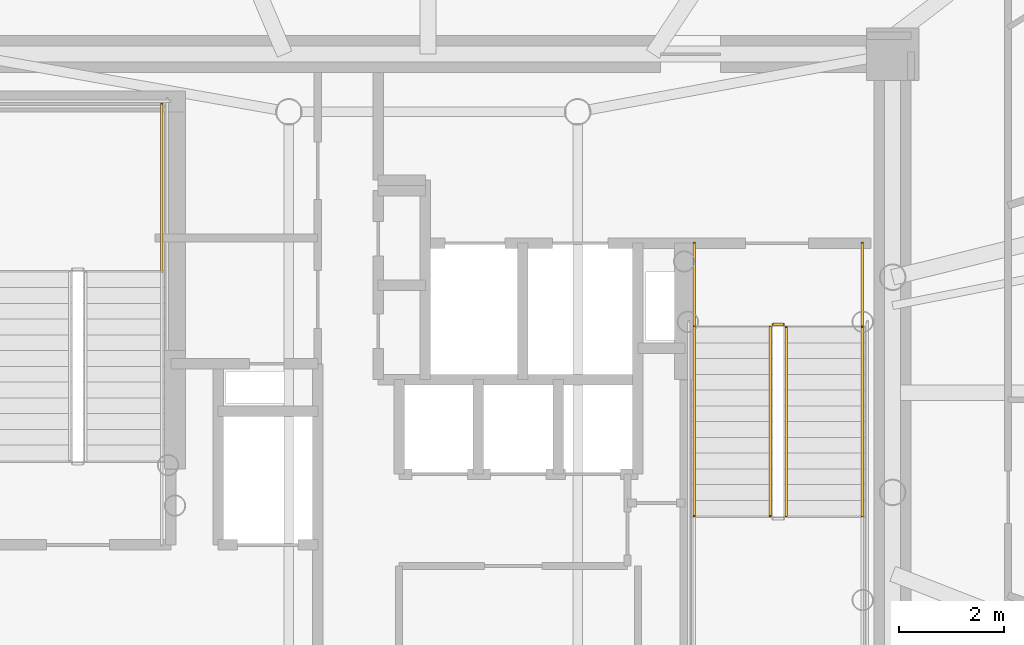
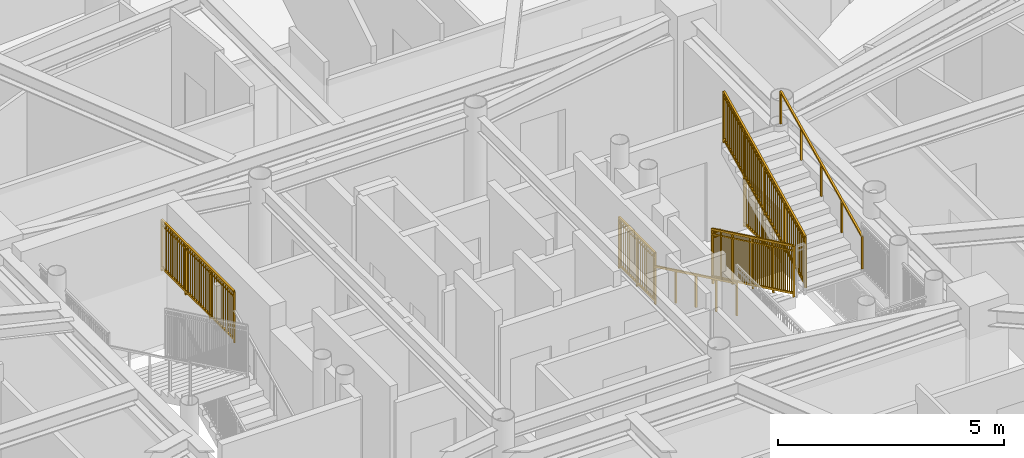
# One storey, part 16 of 17: 8 railings.
"""IFC4 building model written with IfcOpenShell, lengths in metres."""

import ifcopenshell
import ifcopenshell.guid

model = None  # the IFC model being written
_history = None  # IfcOwnerHistory: only IFC2X3 demands one
_inside = {}  # id of a spatial element -> (the spatial element, [elements in it])
_under = {}  # id of a project, library or spatial element -> (it, [spatial elements below it])
_declared = {}  # id of a project -> (the project, [libraries it declares])
_typed = {}  # id of a type object -> (the type object, [elements of that type])
_made_of = {}  # id of a material, layer set ... -> (it, [elements and type objects made of it])


def new_model(schema):
    """Start an empty IFC model of exactly this schema.

    Asked for "IFC4X3", IfcOpenShell would pick the latest addendum, in which some entities
    have other attributes; the version numbers below select the first issue.
    IFC2X3 requires an IfcOwnerHistory on every rooted entity: one is made here for all.
    """
    global model, _history
    if schema == "IFC4X3":
        model = ifcopenshell.file(schema_version=(4, 3, 0, 0))
    else:
        model = ifcopenshell.file(schema=schema)
    _inside.clear()
    _under.clear()
    _declared.clear()
    _typed.clear()
    _made_of.clear()
    _history = None
    if model.schema == "IFC2X3":
        org = make("IfcOrganization", Name="unknown")
        user = make(
            "IfcPersonAndOrganization",
            ThePerson=make("IfcPerson", FamilyName="unknown"),
            TheOrganization=org,
        )
        app = make(
            "IfcApplication",
            ApplicationDeveloper=org,
            Version="unknown",
            ApplicationFullName="unknown",
            ApplicationIdentifier="unknown",
        )
        _history = make(
            "IfcOwnerHistory",
            OwningUser=user,
            OwningApplication=app,
            ChangeAction="ADDED",
            CreationDate=0,
        )
    return model


def make(cls, **values):
    """One entity of the class cls with the attributes given. An attribute that is None is left unset."""
    return model.create_entity(
        cls, **{name: value for name, value in values.items() if value is not None}
    )


def rooted(cls, **values):
    """An entity with a GlobalId (a new one), such as an element, a storey or a relation."""
    return make(cls, GlobalId=ifcopenshell.guid.new(), OwnerHistory=_history, **values)


def si_unit(unit_type, name, prefix=None):
    """IfcSIUnit, for example si_unit("LENGTHUNIT", "METRE", prefix="MILLI")."""
    return make("IfcSIUnit", UnitType=unit_type, Prefix=prefix, Name=name)


def assignment(units):
    """IfcUnitAssignment: the units of a project."""
    return None if units is None else make("IfcUnitAssignment", Units=units)


def point(xyz):
    """IfcCartesianPoint."""
    return None if xyz is None else make("IfcCartesianPoint", Coordinates=xyz)


def direction(xyz):
    """IfcDirection."""
    return None if xyz is None else make("IfcDirection", DirectionRatios=xyz)


def frame(location, z_axis=None, x_axis=None):
    """IfcAxis2Placement3D, a coordinate frame: its origin and axes. An axis left out is left unset."""
    return make(
        "IfcAxis2Placement3D",
        Location=point(location),
        Axis=direction(z_axis),
        RefDirection=direction(x_axis),
    )


def frame_2d(location, x_axis=None):
    """IfcAxis2Placement2D, a coordinate frame in the plane: its origin and x axis."""
    return make(
        "IfcAxis2Placement2D", Location=point(location), RefDirection=direction(x_axis)
    )


def origin():
    """The frame at (0, 0, 0) with its axes left unset."""
    return frame((0.0, 0.0, 0.0))


def origin_2d():
    """The frame at (0, 0) in the plane with its x axis left unset."""
    return frame_2d((0.0, 0.0))


def place(relative_to, where):
    """IfcLocalPlacement: puts the frame where relative to a parent placement (None: the world)."""
    return make(
        "IfcLocalPlacement", PlacementRelTo=relative_to, RelativePlacement=where
    )


def context(
    kind, dimensions, precision=None, world=None, true_north=None, identifier=None
):
    """IfcGeometricRepresentationContext, for example the 3D "Model" context."""
    return make(
        "IfcGeometricRepresentationContext",
        ContextIdentifier=identifier,
        ContextType=kind,
        CoordinateSpaceDimension=dimensions,
        Precision=precision,
        WorldCoordinateSystem=world,
        TrueNorth=true_north,
    )


def subcontext(parent, identifier, kind, view, scale=None):
    """IfcGeometricRepresentationSubContext, for example "Body" below "Model"."""
    return make(
        "IfcGeometricRepresentationSubContext",
        ContextIdentifier=identifier,
        ContextType=kind,
        ParentContext=parent,
        TargetScale=scale,
        TargetView=view,
    )


def project(units=None, contexts=None):
    """IfcProject with its units and contexts."""
    return rooted(
        "IfcProject",
        Name="project",
        RepresentationContexts=contexts,
        UnitsInContext=assignment(units),
    )


def spatial(cls, under=None, at=None, **own):
    """A site, building, storey or space (cls), placed at a placement, below another one or the project."""
    s = rooted(cls, ObjectPlacement=at, **own)
    if under is not None:
        _under.setdefault(under.id(), (under, []))[1].append(s)
    return s


def profile(cls, at=None, kind="AREA", **sizes):
    """A parametric profile (cls). Its sizes go by their IFC names, for example OverallWidth=200.0."""
    return make(cls, ProfileType=kind, Position=at, **sizes)


def rectangle(**sizes):
    """IfcRectangleProfileDef."""
    return profile("IfcRectangleProfileDef", **sizes)


def extrude(swept, where, along, depth):
    """IfcExtrudedAreaSolid: the profile swept, set in the frame where, extruded along a direction by depth."""
    return make(
        "IfcExtrudedAreaSolid",
        SweptArea=swept,
        Position=where,
        ExtrudedDirection=direction(along),
        Depth=depth,
    )


def shape(context_of_items, identifier, shape_type, items):
    """IfcShapeRepresentation: the items that make up one representation, for example the "Body"."""
    return make(
        "IfcShapeRepresentation",
        ContextOfItems=context_of_items,
        RepresentationIdentifier=identifier,
        RepresentationType=shape_type,
        Items=items,
    )


def source(mapping_origin, context_of_items, identifier, shape_type, items):
    """IfcRepresentationMap: a shape defined once, which mapped items show again and again."""
    return make(
        "IfcRepresentationMap",
        MappingOrigin=mapping_origin,
        MappedRepresentation=shape(context_of_items, identifier, shape_type, items),
    )


def transform(
    local_origin,
    x_axis=None,
    y_axis=None,
    z_axis=None,
    scale=None,
    scale2=None,
    scale3=None,
    uniform=True,
):
    """IfcCartesianTransformationOperator3D, or its non-uniform kind. x_axis, y_axis, z_axis: its Axis1, 2, 3."""
    if uniform:
        return make(
            "IfcCartesianTransformationOperator3D",
            Axis1=direction(x_axis),
            Axis2=direction(y_axis),
            LocalOrigin=point(local_origin),
            Scale=scale,
            Axis3=direction(z_axis),
        )
    return make(
        "IfcCartesianTransformationOperator3DnonUniform",
        Axis1=direction(x_axis),
        Axis2=direction(y_axis),
        LocalOrigin=point(local_origin),
        Scale=scale,
        Axis3=direction(z_axis),
        Scale2=scale2,
        Scale3=scale3,
    )


def mapped(mapping_source, mapping_target):
    """IfcMappedItem: shows the shape of a source again, moved by a transform."""
    return make(
        "IfcMappedItem", MappingSource=mapping_source, MappingTarget=mapping_target
    )


def material(Name=None, Category=None):
    """IfcMaterial."""
    return make("IfcMaterial", Name=Name, Category=Category)


def made_of(thing, what):
    """Note that an element or type object is made of a material, layer set ...; save() writes the relation."""
    if what is not None:
        _made_of.setdefault(what.id(), (what, []))[1].append(thing)
    return thing


def type_object(cls, material=None, **own):
    """A type object (cls), such as IfcWallType, which elements share."""
    return made_of(rooted(cls, **own), material)


def element(
    cls,
    number,
    at=None,
    inside=None,
    cuts=None,
    type_object=None,
    material=None,
    context=None,
    identifier="Body",
    shape_type=None,
    held_by="IfcProductDefinitionShape",
    body=None,
    shapes=None,
    **own,
):
    """One element of the class cls, such as IfcWall. Its Tag is "e" and its number.

    at: its placement. inside: the storey or other place that contains it. cuts: it is an
    opening in that element (IfcRelVoidsElement). A single representation is given by context,
    identifier, shape_type and body (its items); several are given by shapes. held_by: the class
    of the entity that holds the representations. save() writes the other relations.
    """
    e = rooted(cls, Tag="e%d" % number, ObjectPlacement=at, **own)
    if body is not None:
        shapes = [shape(context, identifier, shape_type, body)]
    if shapes is not None:
        e.Representation = make(held_by, Representations=shapes)
    if inside is not None:
        _inside.setdefault(inside.id(), (inside, []))[1].append(e)
    if cuts is not None:
        rooted(
            "IfcRelVoidsElement", RelatingBuildingElement=cuts, RelatedOpeningElement=e
        )
    if type_object is not None:
        _typed.setdefault(type_object.id(), (type_object, []))[1].append(e)
    return made_of(e, material)


def aggregate(whole, parts):
    """IfcRelAggregates: a whole, such as a stair, and the parts it consists of."""
    return rooted("IfcRelAggregates", RelatingObject=whole, RelatedObjects=parts)


def save(model, path):
    """Write the relations noted so far, then the file.

    IfcRelAggregates (storeys below a building ...), IfcRelContainedInSpatialStructure (elements
    in a storey), IfcRelDefinesByType, IfcRelAssociatesMaterial and IfcRelDeclares: one each for
    every whole, place, type object, material and project.
    """
    for whole, parts in _under.values():
        aggregate(whole, parts)
    for where, things in _inside.values():
        rooted(
            "IfcRelContainedInSpatialStructure",
            RelatedElements=things,
            RelatingStructure=where,
        )
    for kind, things in _typed.values():
        rooted("IfcRelDefinesByType", RelatedObjects=things, RelatingType=kind)
    for what, things in _made_of.values():
        rooted("IfcRelAssociatesMaterial", RelatedObjects=things, RelatingMaterial=what)
    for by, libraries in _declared.values():
        rooted("IfcRelDeclares", RelatingContext=by, RelatedDefinitions=libraries)
    model.write(path)


model = new_model("IFC4")

# Units and contexts
model_context = context("Model", 3, precision=1e-05, world=origin(), true_north=direction((0.0, 1.0)))
body_context = subcontext(model_context, "Body", "Model", "MODEL_VIEW")
ifc_project = project(units=[si_unit("LENGTHUNIT", "METRE"), si_unit("AREAUNIT", "SQUARE_METRE"), si_unit("VOLUMEUNIT", "CUBIC_METRE"), si_unit("PLANEANGLEUNIT", "RADIAN"), si_unit("MASSUNIT", "GRAM", prefix="KILO")], contexts=[model_context])

# Site, building, storey
site_placement = place(None, origin())
site = spatial("IfcSite", under=ifc_project, at=site_placement, CompositionType="ELEMENT")
building_placement = place(site_placement, origin())
building = spatial("IfcBuilding", under=site, at=building_placement, Name="Linh Dai School and Residence Tower", CompositionType="ELEMENT")
storey_placement = place(building_placement, frame((0.0, 0.0, 299.25)))
storey = spatial("IfcBuildingStorey", under=building, at=storey_placement, Name="L74", CompositionType="ELEMENT", Elevation=299.25)

# Railings
ifc_material_1 = material(Name="Structural Steel S355JR", Category="steel")
railing_type_1 = type_object("IfcRailingType", Name="RL-ST-GUARD-1400", PredefinedType="GUARDRAIL", material=ifc_material_1)
shared_shape_1 = source(origin(), body_context, "Body", "SweptSolid", [
    extrude(rectangle(XDim=0.048095703125, YDim=0.048095703125, at=origin_2d()), frame((0.0, 0.0, 1.3759765625), z_axis=(0.0, 0.901262522062, 0.433273431364), x_axis=(-1.0, 0.0, 0.0)), (0.0, 0.0, 1.0), 3.994384765625),
    extrude(rectangle(XDim=0.048095703125, YDim=0.048095703125, at=origin_2d()), frame((0.0, 0.0, 0.10009765625), z_axis=(0.0, 0.901262522062, 0.433273431364), x_axis=(-1.0, 0.0, 0.0)), (0.0, 0.0, 1.0), 3.994384765625),
    extrude(rectangle(XDim=0.030029296875, YDim=0.030029296875, at=origin_2d()), frame((0.0, 0.0, 1.239990234375), z_axis=(0.0, 0.901262522062, 0.433273431364), x_axis=(-1.0, 0.0, 0.0)), (0.0, 0.0, 1.0), 3.994384765625),
    extrude(rectangle(XDim=0.02001953125, YDim=0.02001953125, at=origin_2d()), frame((0.0, 0.087890625, 0.142333984375)), (0.0, 0.0, 1.0), 1.251708984375),
    extrude(rectangle(XDim=0.02001953125, YDim=0.02001953125, at=origin_2d()), frame((0.0, 0.175537109375, 0.1845703125)), (0.0, 0.0, 1.0), 1.251708984375),
    extrude(rectangle(XDim=0.02001953125, YDim=0.02001953125, at=origin_2d()), frame((0.0, 0.263427734375, 0.226806640625)), (0.0, 0.0, 1.0), 1.251708984375),
    extrude(rectangle(XDim=0.02001953125, YDim=0.02001953125, at=origin_2d()), frame((0.0, 0.351318359375, 0.26904296875)), (0.0, 0.0, 1.0), 1.251708984375),
    extrude(rectangle(XDim=0.02001953125, YDim=0.02001953125, at=origin_2d()), frame((0.0, 0.43896484375, 0.311279296875)), (0.0, 0.0, 1.0), 1.251708984375),
    extrude(rectangle(XDim=0.02001953125, YDim=0.02001953125, at=origin_2d()), frame((0.0, 0.52685546875, 0.353271484375)), (0.0, 0.0, 1.0), 1.251708984375),
    extrude(rectangle(XDim=0.02001953125, YDim=0.02001953125, at=origin_2d()), frame((0.0, 0.61474609375, 0.3955078125)), (0.0, 0.0, 1.0), 1.251708984375),
    extrude(rectangle(XDim=0.02001953125, YDim=0.02001953125, at=origin_2d()), frame((0.0, 0.702392578125, 0.437744140625)), (0.0, 0.0, 1.0), 1.251708984375),
    extrude(rectangle(XDim=0.02001953125, YDim=0.02001953125, at=origin_2d()), frame((0.0, 0.790283203125, 0.47998046875)), (0.0, 0.0, 1.0), 1.251708984375),
    extrude(rectangle(XDim=0.02001953125, YDim=0.02001953125, at=origin_2d()), frame((0.0, 0.9658203125, 0.564453125)), (0.0, 0.0, 1.0), 1.251708984375),
    extrude(rectangle(XDim=0.02001953125, YDim=0.02001953125, at=origin_2d()), frame((0.0, 1.0537109375, 0.606689453125)), (0.0, 0.0, 1.0), 1.251708984375),
    extrude(rectangle(XDim=0.02001953125, YDim=0.02001953125, at=origin_2d()), frame((0.0, 1.1416015625, 0.64892578125)), (0.0, 0.0, 1.0), 1.251708984375),
    extrude(rectangle(XDim=0.02001953125, YDim=0.02001953125, at=origin_2d()), frame((0.0, 1.229248046875, 0.691162109375)), (0.0, 0.0, 1.0), 1.251708984375),
    extrude(rectangle(XDim=0.02001953125, YDim=0.02001953125, at=origin_2d()), frame((0.0, 1.317138671875, 0.7333984375)), (0.0, 0.0, 1.0), 1.251708984375),
    extrude(rectangle(XDim=0.02001953125, YDim=0.02001953125, at=origin_2d()), frame((0.0, 1.405029296875, 0.775390625)), (0.0, 0.0, 1.0), 1.251708984375),
    extrude(rectangle(XDim=0.02001953125, YDim=0.02001953125, at=origin_2d()), frame((0.0, 1.49267578125, 0.817626953125)), (0.0, 0.0, 1.0), 1.251708984375),
    extrude(rectangle(XDim=0.02001953125, YDim=0.02001953125, at=origin_2d()), frame((0.0, 1.58056640625, 0.85986328125)), (0.0, 0.0, 1.0), 1.251708984375),
    extrude(rectangle(XDim=0.02001953125, YDim=0.02001953125, at=origin_2d()), frame((0.0, 1.66845703125, 0.902099609375)), (0.0, 0.0, 1.0), 1.251708984375),
    extrude(rectangle(XDim=0.02001953125, YDim=0.02001953125, at=origin_2d()), frame((0.0, 1.756103515625, 0.9443359375)), (0.0, 0.0, 1.0), 1.251708984375),
    extrude(rectangle(XDim=0.02001953125, YDim=0.02001953125, at=origin_2d()), frame((0.0, 1.843994140625, 0.986572265625)), (0.0, 0.0, 1.0), 1.251708984375),
    extrude(rectangle(XDim=0.02001953125, YDim=0.02001953125, at=origin_2d()), frame((0.0, 1.931640625, 1.02880859375)), (0.0, 0.0, 1.0), 1.251708984375),
    extrude(rectangle(XDim=0.02001953125, YDim=0.02001953125, at=origin_2d()), frame((0.0, 2.01953125, 1.071044921875)), (0.0, 0.0, 1.0), 1.251708984375),
    extrude(rectangle(XDim=0.02001953125, YDim=0.02001953125, at=origin_2d()), frame((0.0, 2.107421875, 1.11328125)), (0.0, 0.0, 1.0), 1.251708984375),
    extrude(rectangle(XDim=0.02001953125, YDim=0.02001953125, at=origin_2d()), frame((0.0, 2.195068359375, 1.155517578125)), (0.0, 0.0, 1.0), 1.251708984375),
    extrude(rectangle(XDim=0.02001953125, YDim=0.02001953125, at=origin_2d()), frame((0.0, 2.282958984375, 1.197509765625)), (0.0, 0.0, 1.0), 1.251708984375),
    extrude(rectangle(XDim=0.02001953125, YDim=0.02001953125, at=origin_2d()), frame((0.0, 2.370849609375, 1.23974609375)), (0.0, 0.0, 1.0), 1.251708984375),
    extrude(rectangle(XDim=0.02001953125, YDim=0.02001953125, at=origin_2d()), frame((0.0, 2.45849609375, 1.281982421875)), (0.0, 0.0, 1.0), 1.251708984375),
    extrude(rectangle(XDim=0.02001953125, YDim=0.02001953125, at=origin_2d()), frame((0.0, 2.54638671875, 1.32421875)), (0.0, 0.0, 1.0), 1.251708984375),
    extrude(rectangle(XDim=0.02001953125, YDim=0.02001953125, at=origin_2d()), frame((0.0, 2.63427734375, 1.366455078125)), (0.0, 0.0, 1.0), 1.251708984375),
    extrude(rectangle(XDim=0.02001953125, YDim=0.02001953125, at=origin_2d()), frame((0.0, 2.809814453125, 1.450927734375)), (0.0, 0.0, 1.0), 1.251708984375),
    extrude(rectangle(XDim=0.02001953125, YDim=0.02001953125, at=origin_2d()), frame((0.0, 2.897705078125, 1.4931640625)), (0.0, 0.0, 1.0), 1.251708984375),
    extrude(rectangle(XDim=0.02001953125, YDim=0.02001953125, at=origin_2d()), frame((0.0, 2.9853515625, 1.535400390625)), (0.0, 0.0, 1.0), 1.251708984375),
    extrude(rectangle(XDim=0.02001953125, YDim=0.02001953125, at=origin_2d()), frame((0.0, 3.0732421875, 1.57763671875)), (0.0, 0.0, 1.0), 1.251708984375),
    extrude(rectangle(XDim=0.02001953125, YDim=0.02001953125, at=origin_2d()), frame((0.0, 3.1611328125, 1.61962890625)), (0.0, 0.0, 1.0), 1.251708984375),
    extrude(rectangle(XDim=0.02001953125, YDim=0.02001953125, at=origin_2d()), frame((0.0, 3.248779296875, 1.661865234375)), (0.0, 0.0, 1.0), 1.251708984375),
    extrude(rectangle(XDim=0.02001953125, YDim=0.02001953125, at=origin_2d()), frame((0.0, 3.336669921875, 1.7041015625)), (0.0, 0.0, 1.0), 1.251708984375),
    extrude(rectangle(XDim=0.02001953125, YDim=0.02001953125, at=origin_2d()), frame((0.0, 3.424560546875, 1.746337890625)), (0.0, 0.0, 1.0), 1.251708984375),
    extrude(rectangle(XDim=0.02001953125, YDim=0.02001953125, at=origin_2d()), frame((0.0, 3.51220703125, 1.78857421875)), (0.0, 0.0, 1.0), 1.251708984375),
    extrude(rectangle(XDim=0.0419921875, YDim=0.0419921875, at=origin_2d()), origin(), (0.0, 0.0, 1.0), 1.3759765625),
    extrude(rectangle(XDim=0.0419921875, YDim=0.0419921875, at=origin_2d()), frame((0.0, 0.89990234375, 0.4326171875)), (0.0, 0.0, 1.0), 1.3759765625),
    extrude(rectangle(XDim=0.0419921875, YDim=0.0419921875, at=origin_2d()), frame((0.0, 1.800048828125, 0.865234375)), (0.0, 0.0, 1.0), 1.3759765625),
    extrude(rectangle(XDim=0.0419921875, YDim=0.0419921875, at=origin_2d()), frame((0.0, 2.7001953125, 1.298095703125)), (0.0, 0.0, 1.0), 1.3759765625),
    extrude(rectangle(XDim=0.0419921875, YDim=0.0419921875, at=origin_2d()), frame((0.0, 3.60009765625, 1.730712890625)), (0.0, 0.0, 1.0), 1.3759765625),
])
railing_1_placement = place(storey_placement, frame((42.820068359375, 24.64990234375, 2.019287109375)))
element("IfcRailing", 1, at=railing_1_placement, inside=storey, type_object=railing_type_1, Name="L74 ST2 stair guard 6", PredefinedType="GUARDRAIL", context=body_context, shape_type="MappedRepresentation", body=[
    mapped(shared_shape_1, transform((0.0, 0.0, 0.0), x_axis=(1.0, 0.0, 0.0), y_axis=(0.0, 1.0, 0.0), z_axis=(0.0, 0.0, 1.0), scale=1.0)),
])
shared_shape_2 = source(origin(), body_context, "Body", "SweptSolid", [
    extrude(rectangle(XDim=0.048095703125, YDim=0.048095703125, at=origin_2d()), frame((0.0, 0.0, 1.3759765625), z_axis=(0.0, 1.0, 0.0), x_axis=(-1.0, 0.0, 0.0)), (0.0, 0.0, 1.0), 3.199951171875),
    extrude(rectangle(XDim=0.048095703125, YDim=0.048095703125, at=origin_2d()), frame((0.0, 0.0, 0.10009765625), z_axis=(0.0, 1.0, 0.0), x_axis=(-1.0, 0.0, 0.0)), (0.0, 0.0, 1.0), 3.199951171875),
    extrude(rectangle(XDim=0.030029296875, YDim=0.030029296875, at=origin_2d()), frame((0.0, 0.0, 1.239990234375), z_axis=(0.0, 1.0, 0.0), x_axis=(-1.0, 0.0, 0.0)), (0.0, 0.0, 1.0), 3.199951171875),
    extrude(rectangle(XDim=0.02001953125, YDim=0.02001953125, at=origin_2d()), frame((0.0, 0.096923828125, 0.10009765625)), (0.0, 0.0, 1.0), 1.251708984375),
    extrude(rectangle(XDim=0.02001953125, YDim=0.02001953125, at=origin_2d()), frame((0.0, 0.19384765625, 0.10009765625)), (0.0, 0.0, 1.0), 1.251708984375),
    extrude(rectangle(XDim=0.02001953125, YDim=0.02001953125, at=origin_2d()), frame((0.0, 0.291015625, 0.10009765625)), (0.0, 0.0, 1.0), 1.251708984375),
    extrude(rectangle(XDim=0.02001953125, YDim=0.02001953125, at=origin_2d()), frame((0.0, 0.387939453125, 0.10009765625)), (0.0, 0.0, 1.0), 1.251708984375),
    extrude(rectangle(XDim=0.02001953125, YDim=0.02001953125, at=origin_2d()), frame((0.0, 0.48486328125, 0.10009765625)), (0.0, 0.0, 1.0), 1.251708984375),
    extrude(rectangle(XDim=0.02001953125, YDim=0.02001953125, at=origin_2d()), frame((0.0, 0.581787109375, 0.10009765625)), (0.0, 0.0, 1.0), 1.251708984375),
    extrude(rectangle(XDim=0.02001953125, YDim=0.02001953125, at=origin_2d()), frame((0.0, 0.6787109375, 0.10009765625)), (0.0, 0.0, 1.0), 1.251708984375),
    extrude(rectangle(XDim=0.02001953125, YDim=0.02001953125, at=origin_2d()), frame((0.0, 0.775634765625, 0.10009765625)), (0.0, 0.0, 1.0), 1.251708984375),
    extrude(rectangle(XDim=0.02001953125, YDim=0.02001953125, at=origin_2d()), frame((0.0, 0.872802734375, 0.10009765625)), (0.0, 0.0, 1.0), 1.251708984375),
    extrude(rectangle(XDim=0.02001953125, YDim=0.02001953125, at=origin_2d()), frame((0.0, 0.9697265625, 0.10009765625)), (0.0, 0.0, 1.0), 1.251708984375),
    extrude(rectangle(XDim=0.02001953125, YDim=0.02001953125, at=origin_2d()), frame((0.0, 1.16357421875, 0.10009765625)), (0.0, 0.0, 1.0), 1.251708984375),
    extrude(rectangle(XDim=0.02001953125, YDim=0.02001953125, at=origin_2d()), frame((0.0, 1.260498046875, 0.10009765625)), (0.0, 0.0, 1.0), 1.251708984375),
    extrude(rectangle(XDim=0.02001953125, YDim=0.02001953125, at=origin_2d()), frame((0.0, 1.357666015625, 0.10009765625)), (0.0, 0.0, 1.0), 1.251708984375),
    extrude(rectangle(XDim=0.02001953125, YDim=0.02001953125, at=origin_2d()), frame((0.0, 1.45458984375, 0.10009765625)), (0.0, 0.0, 1.0), 1.251708984375),
    extrude(rectangle(XDim=0.02001953125, YDim=0.02001953125, at=origin_2d()), frame((0.0, 1.551513671875, 0.10009765625)), (0.0, 0.0, 1.0), 1.251708984375),
    extrude(rectangle(XDim=0.02001953125, YDim=0.02001953125, at=origin_2d()), frame((0.0, 1.6484375, 0.10009765625)), (0.0, 0.0, 1.0), 1.251708984375),
    extrude(rectangle(XDim=0.02001953125, YDim=0.02001953125, at=origin_2d()), frame((0.0, 1.745361328125, 0.10009765625)), (0.0, 0.0, 1.0), 1.251708984375),
    extrude(rectangle(XDim=0.02001953125, YDim=0.02001953125, at=origin_2d()), frame((0.0, 1.84228515625, 0.10009765625)), (0.0, 0.0, 1.0), 1.251708984375),
    extrude(rectangle(XDim=0.02001953125, YDim=0.02001953125, at=origin_2d()), frame((0.0, 1.939453125, 0.10009765625)), (0.0, 0.0, 1.0), 1.251708984375),
    extrude(rectangle(XDim=0.02001953125, YDim=0.02001953125, at=origin_2d()), frame((0.0, 2.036376953125, 0.10009765625)), (0.0, 0.0, 1.0), 1.251708984375),
    extrude(rectangle(XDim=0.02001953125, YDim=0.02001953125, at=origin_2d()), frame((0.0, 2.230224609375, 0.10009765625)), (0.0, 0.0, 1.0), 1.251708984375),
    extrude(rectangle(XDim=0.02001953125, YDim=0.02001953125, at=origin_2d()), frame((0.0, 2.3271484375, 0.10009765625)), (0.0, 0.0, 1.0), 1.251708984375),
    extrude(rectangle(XDim=0.02001953125, YDim=0.02001953125, at=origin_2d()), frame((0.0, 2.42431640625, 0.10009765625)), (0.0, 0.0, 1.0), 1.251708984375),
    extrude(rectangle(XDim=0.02001953125, YDim=0.02001953125, at=origin_2d()), frame((0.0, 2.521240234375, 0.10009765625)), (0.0, 0.0, 1.0), 1.251708984375),
    extrude(rectangle(XDim=0.02001953125, YDim=0.02001953125, at=origin_2d()), frame((0.0, 2.6181640625, 0.10009765625)), (0.0, 0.0, 1.0), 1.251708984375),
    extrude(rectangle(XDim=0.02001953125, YDim=0.02001953125, at=origin_2d()), frame((0.0, 2.715087890625, 0.10009765625)), (0.0, 0.0, 1.0), 1.251708984375),
    extrude(rectangle(XDim=0.02001953125, YDim=0.02001953125, at=origin_2d()), frame((0.0, 2.81201171875, 0.10009765625)), (0.0, 0.0, 1.0), 1.251708984375),
    extrude(rectangle(XDim=0.02001953125, YDim=0.02001953125, at=origin_2d()), frame((0.0, 2.908935546875, 0.10009765625)), (0.0, 0.0, 1.0), 1.251708984375),
    extrude(rectangle(XDim=0.02001953125, YDim=0.02001953125, at=origin_2d()), frame((0.0, 3.006103515625, 0.10009765625)), (0.0, 0.0, 1.0), 1.251708984375),
    extrude(rectangle(XDim=0.02001953125, YDim=0.02001953125, at=origin_2d()), frame((0.0, 3.10302734375, 0.10009765625)), (0.0, 0.0, 1.0), 1.251708984375),
    extrude(rectangle(XDim=0.0419921875, YDim=0.0419921875, at=origin_2d()), origin(), (0.0, 0.0, 1.0), 1.3759765625),
    extrude(rectangle(XDim=0.0419921875, YDim=0.0419921875, at=origin_2d()), frame((0.0, 1.066650390625, 0.0)), (0.0, 0.0, 1.0), 1.3759765625),
    extrude(rectangle(XDim=0.0419921875, YDim=0.0419921875, at=origin_2d()), frame((0.0, 2.13330078125, 0.0)), (0.0, 0.0, 1.0), 1.3759765625),
    extrude(rectangle(XDim=0.0419921875, YDim=0.0419921875, at=origin_2d()), frame((0.0, 3.199951171875, 0.0)), (0.0, 0.0, 1.0), 1.3759765625),
])
railing_2_placement = place(storey_placement, frame((30.929931640625, 29.300048828125, 1.875)))
element("IfcRailing", 2, at=railing_2_placement, inside=storey, type_object=railing_type_1, Name="L74 ST1 stair guard 3", PredefinedType="GUARDRAIL", context=body_context, shape_type="MappedRepresentation", body=[
    mapped(shared_shape_2, transform((0.0, 0.0, 0.0), x_axis=(1.0, 0.0, 0.0), y_axis=(0.0, 1.0, 0.0), z_axis=(0.0, 0.0, 1.0), scale=1.0)),
])
shared_shape_3 = source(origin(), body_context, "Body", "SweptSolid", [
    extrude(rectangle(XDim=0.048095703125, YDim=0.048095703125, at=origin_2d()), frame((0.0, 0.0, 1.3759765625), z_axis=(0.0, -0.901262522062, 0.433273431364), x_axis=(1.0, 0.0, 0.0)), (0.0, 0.0, 1.0), 3.994384765625),
    extrude(rectangle(XDim=0.048095703125, YDim=0.048095703125, at=origin_2d()), frame((0.0, 0.0, 0.10009765625), z_axis=(0.0, -0.901262522062, 0.433273431364), x_axis=(1.0, 0.0, 0.0)), (0.0, 0.0, 1.0), 3.994384765625),
    extrude(rectangle(XDim=0.030029296875, YDim=0.030029296875, at=origin_2d()), frame((0.0, 0.0, 1.239990234375), z_axis=(0.0, -0.901262522062, 0.433273431364), x_axis=(1.0, 0.0, 0.0)), (0.0, 0.0, 1.0), 3.994384765625),
    extrude(rectangle(XDim=0.02001953125, YDim=0.02001953125, at=origin_2d()), frame((0.0, -0.087890625, 0.142333984375)), (0.0, 0.0, 1.0), 1.251708984375),
    extrude(rectangle(XDim=0.02001953125, YDim=0.02001953125, at=origin_2d()), frame((0.0, -0.175537109375, 0.1845703125)), (0.0, 0.0, 1.0), 1.251708984375),
    extrude(rectangle(XDim=0.02001953125, YDim=0.02001953125, at=origin_2d()), frame((0.0, -0.263427734375, 0.226806640625)), (0.0, 0.0, 1.0), 1.251708984375),
    extrude(rectangle(XDim=0.02001953125, YDim=0.02001953125, at=origin_2d()), frame((0.0, -0.351318359375, 0.26904296875)), (0.0, 0.0, 1.0), 1.251708984375),
    extrude(rectangle(XDim=0.02001953125, YDim=0.02001953125, at=origin_2d()), frame((0.0, -0.43896484375, 0.311279296875)), (0.0, 0.0, 1.0), 1.251708984375),
    extrude(rectangle(XDim=0.02001953125, YDim=0.02001953125, at=origin_2d()), frame((0.0, -0.52685546875, 0.353271484375)), (0.0, 0.0, 1.0), 1.251708984375),
    extrude(rectangle(XDim=0.02001953125, YDim=0.02001953125, at=origin_2d()), frame((0.0, -0.61474609375, 0.3955078125)), (0.0, 0.0, 1.0), 1.251708984375),
    extrude(rectangle(XDim=0.02001953125, YDim=0.02001953125, at=origin_2d()), frame((0.0, -0.702392578125, 0.437744140625)), (0.0, 0.0, 1.0), 1.251708984375),
    extrude(rectangle(XDim=0.02001953125, YDim=0.02001953125, at=origin_2d()), frame((0.0, -0.790283203125, 0.47998046875)), (0.0, 0.0, 1.0), 1.251708984375),
    extrude(rectangle(XDim=0.02001953125, YDim=0.02001953125, at=origin_2d()), frame((0.0, -0.9658203125, 0.564453125)), (0.0, 0.0, 1.0), 1.251708984375),
    extrude(rectangle(XDim=0.02001953125, YDim=0.02001953125, at=origin_2d()), frame((0.0, -1.0537109375, 0.606689453125)), (0.0, 0.0, 1.0), 1.251708984375),
    extrude(rectangle(XDim=0.02001953125, YDim=0.02001953125, at=origin_2d()), frame((0.0, -1.1416015625, 0.64892578125)), (0.0, 0.0, 1.0), 1.251708984375),
    extrude(rectangle(XDim=0.02001953125, YDim=0.02001953125, at=origin_2d()), frame((0.0, -1.229248046875, 0.691162109375)), (0.0, 0.0, 1.0), 1.251708984375),
    extrude(rectangle(XDim=0.02001953125, YDim=0.02001953125, at=origin_2d()), frame((0.0, -1.317138671875, 0.7333984375)), (0.0, 0.0, 1.0), 1.251708984375),
    extrude(rectangle(XDim=0.02001953125, YDim=0.02001953125, at=origin_2d()), frame((0.0, -1.405029296875, 0.775390625)), (0.0, 0.0, 1.0), 1.251708984375),
    extrude(rectangle(XDim=0.02001953125, YDim=0.02001953125, at=origin_2d()), frame((0.0, -1.49267578125, 0.817626953125)), (0.0, 0.0, 1.0), 1.251708984375),
    extrude(rectangle(XDim=0.02001953125, YDim=0.02001953125, at=origin_2d()), frame((0.0, -1.58056640625, 0.85986328125)), (0.0, 0.0, 1.0), 1.251708984375),
    extrude(rectangle(XDim=0.02001953125, YDim=0.02001953125, at=origin_2d()), frame((0.0, -1.66845703125, 0.902099609375)), (0.0, 0.0, 1.0), 1.251708984375),
    extrude(rectangle(XDim=0.02001953125, YDim=0.02001953125, at=origin_2d()), frame((0.0, -1.756103515625, 0.9443359375)), (0.0, 0.0, 1.0), 1.251708984375),
    extrude(rectangle(XDim=0.02001953125, YDim=0.02001953125, at=origin_2d()), frame((0.0, -1.843994140625, 0.986572265625)), (0.0, 0.0, 1.0), 1.251708984375),
    extrude(rectangle(XDim=0.02001953125, YDim=0.02001953125, at=origin_2d()), frame((0.0, -1.931640625, 1.02880859375)), (0.0, 0.0, 1.0), 1.251708984375),
    extrude(rectangle(XDim=0.02001953125, YDim=0.02001953125, at=origin_2d()), frame((0.0, -2.01953125, 1.071044921875)), (0.0, 0.0, 1.0), 1.251708984375),
    extrude(rectangle(XDim=0.02001953125, YDim=0.02001953125, at=origin_2d()), frame((0.0, -2.107421875, 1.11328125)), (0.0, 0.0, 1.0), 1.251708984375),
    extrude(rectangle(XDim=0.02001953125, YDim=0.02001953125, at=origin_2d()), frame((0.0, -2.195068359375, 1.155517578125)), (0.0, 0.0, 1.0), 1.251708984375),
    extrude(rectangle(XDim=0.02001953125, YDim=0.02001953125, at=origin_2d()), frame((0.0, -2.282958984375, 1.197509765625)), (0.0, 0.0, 1.0), 1.251708984375),
    extrude(rectangle(XDim=0.02001953125, YDim=0.02001953125, at=origin_2d()), frame((0.0, -2.370849609375, 1.23974609375)), (0.0, 0.0, 1.0), 1.251708984375),
    extrude(rectangle(XDim=0.02001953125, YDim=0.02001953125, at=origin_2d()), frame((0.0, -2.45849609375, 1.281982421875)), (0.0, 0.0, 1.0), 1.251708984375),
    extrude(rectangle(XDim=0.02001953125, YDim=0.02001953125, at=origin_2d()), frame((0.0, -2.54638671875, 1.32421875)), (0.0, 0.0, 1.0), 1.251708984375),
    extrude(rectangle(XDim=0.02001953125, YDim=0.02001953125, at=origin_2d()), frame((0.0, -2.63427734375, 1.366455078125)), (0.0, 0.0, 1.0), 1.251708984375),
    extrude(rectangle(XDim=0.02001953125, YDim=0.02001953125, at=origin_2d()), frame((0.0, -2.809814453125, 1.450927734375)), (0.0, 0.0, 1.0), 1.251708984375),
    extrude(rectangle(XDim=0.02001953125, YDim=0.02001953125, at=origin_2d()), frame((0.0, -2.897705078125, 1.4931640625)), (0.0, 0.0, 1.0), 1.251708984375),
    extrude(rectangle(XDim=0.02001953125, YDim=0.02001953125, at=origin_2d()), frame((0.0, -2.9853515625, 1.535400390625)), (0.0, 0.0, 1.0), 1.251708984375),
    extrude(rectangle(XDim=0.02001953125, YDim=0.02001953125, at=origin_2d()), frame((0.0, -3.0732421875, 1.57763671875)), (0.0, 0.0, 1.0), 1.251708984375),
    extrude(rectangle(XDim=0.02001953125, YDim=0.02001953125, at=origin_2d()), frame((0.0, -3.1611328125, 1.61962890625)), (0.0, 0.0, 1.0), 1.251708984375),
    extrude(rectangle(XDim=0.02001953125, YDim=0.02001953125, at=origin_2d()), frame((0.0, -3.248779296875, 1.661865234375)), (0.0, 0.0, 1.0), 1.251708984375),
    extrude(rectangle(XDim=0.02001953125, YDim=0.02001953125, at=origin_2d()), frame((0.0, -3.336669921875, 1.7041015625)), (0.0, 0.0, 1.0), 1.251708984375),
    extrude(rectangle(XDim=0.02001953125, YDim=0.02001953125, at=origin_2d()), frame((0.0, -3.424560546875, 1.746337890625)), (0.0, 0.0, 1.0), 1.251708984375),
    extrude(rectangle(XDim=0.02001953125, YDim=0.02001953125, at=origin_2d()), frame((0.0, -3.51220703125, 1.78857421875)), (0.0, 0.0, 1.0), 1.251708984375),
    extrude(rectangle(XDim=0.0419921875, YDim=0.0419921875, at=origin_2d()), origin(), (0.0, 0.0, 1.0), 1.3759765625),
    extrude(rectangle(XDim=0.0419921875, YDim=0.0419921875, at=origin_2d()), frame((0.0, -0.89990234375, 0.4326171875)), (0.0, 0.0, 1.0), 1.3759765625),
    extrude(rectangle(XDim=0.0419921875, YDim=0.0419921875, at=origin_2d()), frame((0.0, -1.800048828125, 0.865234375)), (0.0, 0.0, 1.0), 1.3759765625),
    extrude(rectangle(XDim=0.0419921875, YDim=0.0419921875, at=origin_2d()), frame((0.0, -2.7001953125, 1.298095703125)), (0.0, 0.0, 1.0), 1.3759765625),
    extrude(rectangle(XDim=0.0419921875, YDim=0.0419921875, at=origin_2d()), frame((0.0, -3.60009765625, 1.730712890625)), (0.0, 0.0, 1.0), 1.3759765625),
])
railing_3_placement = place(storey_placement, frame((42.52001953125, 28.25, 0.144287109375)))
element("IfcRailing", 3, at=railing_3_placement, inside=storey, type_object=railing_type_1, Name="L74 ST2 stair guard 1", PredefinedType="GUARDRAIL", context=body_context, shape_type="MappedRepresentation", body=[
    mapped(shared_shape_3, transform((0.0, 0.0, 0.0), x_axis=(1.0, 0.0, 0.0), y_axis=(0.0, 1.0, 0.0), z_axis=(0.0, 0.0, 1.0), scale=1.0)),
])
ifc_material_2 = material(Name="Brushed Stainless Steel Handrail", Category="steel")
railing_type_2 = type_object("IfcRailingType", Name="RL-ST-HANDRAIL-900", PredefinedType="HANDRAIL", material=ifc_material_2)
shared_shape_4 = source(origin(), body_context, "Body", "SweptSolid", [
    extrude(rectangle(XDim=0.048095703125, YDim=0.048095703125, at=origin_2d()), frame((0.0, 0.0, 0.8759765625), z_axis=(0.0, 0.901262522062, 0.433273431364), x_axis=(-1.0, 0.0, 0.0)), (0.0, 0.0, 1.0), 3.994384765625),
    extrude(rectangle(XDim=0.0419921875, YDim=0.0419921875, at=origin_2d()), origin(), (0.0, 0.0, 1.0), 0.8759765625),
    extrude(rectangle(XDim=0.0419921875, YDim=0.0419921875, at=origin_2d()), frame((0.0, 0.89990234375, 0.4326171875)), (0.0, 0.0, 1.0), 0.8759765625),
    extrude(rectangle(XDim=0.0419921875, YDim=0.0419921875, at=origin_2d()), frame((0.0, 1.800048828125, 0.865234375)), (0.0, 0.0, 1.0), 0.8759765625),
    extrude(rectangle(XDim=0.0419921875, YDim=0.0419921875, at=origin_2d()), frame((0.0, 2.7001953125, 1.298095703125)), (0.0, 0.0, 1.0), 0.8759765625),
    extrude(rectangle(XDim=0.0419921875, YDim=0.0419921875, at=origin_2d()), frame((0.0, 3.60009765625, 1.730712890625)), (0.0, 0.0, 1.0), 0.8759765625),
])
railing_4_placement = place(storey_placement, frame((44.27001953125, 24.64990234375, 2.019287109375)))
element("IfcRailing", 4, at=railing_4_placement, inside=storey, type_object=railing_type_2, Name="L74 ST2 stair handrail 2", PredefinedType="HANDRAIL", context=body_context, shape_type="MappedRepresentation", body=[
    mapped(shared_shape_4, transform((0.0, 0.0, 0.0), x_axis=(1.0, 0.0, 0.0), y_axis=(0.0, 1.0, 0.0), z_axis=(0.0, 0.0, 1.0), scale=1.0)),
])
shared_shape_5 = source(origin(), body_context, "Body", "SweptSolid", [
    extrude(rectangle(XDim=0.048095703125, YDim=0.048095703125, at=origin_2d()), frame((0.0, 0.0, 0.8759765625), z_axis=(0.0, -0.901262522062, 0.433273431364), x_axis=(1.0, 0.0, 0.0)), (0.0, 0.0, 1.0), 3.994384765625),
    extrude(rectangle(XDim=0.0419921875, YDim=0.0419921875, at=origin_2d()), origin(), (0.0, 0.0, 1.0), 0.8759765625),
    extrude(rectangle(XDim=0.0419921875, YDim=0.0419921875, at=origin_2d()), frame((0.0, -0.89990234375, 0.4326171875)), (0.0, 0.0, 1.0), 0.8759765625),
    extrude(rectangle(XDim=0.0419921875, YDim=0.0419921875, at=origin_2d()), frame((0.0, -1.800048828125, 0.865234375)), (0.0, 0.0, 1.0), 0.8759765625),
    extrude(rectangle(XDim=0.0419921875, YDim=0.0419921875, at=origin_2d()), frame((0.0, -2.7001953125, 1.298095703125)), (0.0, 0.0, 1.0), 0.8759765625),
    extrude(rectangle(XDim=0.0419921875, YDim=0.0419921875, at=origin_2d()), frame((0.0, -3.60009765625, 1.730712890625)), (0.0, 0.0, 1.0), 0.8759765625),
])
railing_5_placement = place(storey_placement, frame((41.070068359375, 28.25, 0.144287109375)))
element("IfcRailing", 5, at=railing_5_placement, inside=storey, type_object=railing_type_2, Name="L74 ST2 stair handrail 1", PredefinedType="HANDRAIL", context=body_context, shape_type="MappedRepresentation", body=[
    mapped(shared_shape_5, transform((0.0, 0.0, 0.0), x_axis=(1.0, 0.0, 0.0), y_axis=(0.0, 1.0, 0.0), z_axis=(0.0, 0.0, 1.0), scale=1.0)),
])
shared_shape_6 = source(origin(), body_context, "Body", "SweptSolid", [
    extrude(rectangle(XDim=0.048095703125, YDim=0.048095703125, at=origin_2d()), frame((0.0, 0.0, 1.3759765625), z_axis=(1.0, 0.0, 0.0), x_axis=(0.0, 1.0, 0.0)), (0.0, 0.0, 1.0), 0.199951171875),
    extrude(rectangle(XDim=0.048095703125, YDim=0.048095703125, at=origin_2d()), frame((0.0, 0.0, 0.10009765625), z_axis=(1.0, 0.0, 0.0), x_axis=(0.0, 1.0, 0.0)), (0.0, 0.0, 1.0), 0.199951171875),
    extrude(rectangle(XDim=0.030029296875, YDim=0.030029296875, at=origin_2d()), frame((0.0, 0.0, 1.239990234375), z_axis=(1.0, 0.0, 0.0), x_axis=(0.0, 1.0, 0.0)), (0.0, 0.0, 1.0), 0.199951171875),
    extrude(rectangle(XDim=0.0419921875, YDim=0.0419921875, at=origin_2d()), origin(), (0.0, 0.0, 1.0), 1.3759765625),
    extrude(rectangle(XDim=0.0419921875, YDim=0.0419921875, at=origin_2d()), frame((0.199951171875, 0.0, 0.0)), (0.0, 0.0, 1.0), 1.3759765625),
])
railing_6_placement = place(storey_placement, frame((42.570068359375, 28.300048828125, 0.0)))
element("IfcRailing", 6, at=railing_6_placement, inside=storey, type_object=railing_type_1, Name="L74 ST2 stair guard 7", PredefinedType="GUARDRAIL", context=body_context, shape_type="MappedRepresentation", body=[
    mapped(shared_shape_6, transform((0.0, 0.0, 0.0), x_axis=(1.0, 0.0, 0.0), y_axis=(0.0, 1.0, 0.0), z_axis=(0.0, 0.0, 1.0), scale=1.0)),
])
shared_shape_7 = source(origin(), body_context, "Body", "SweptSolid", [
    extrude(rectangle(XDim=0.048095703125, YDim=0.048095703125, at=origin_2d()), frame((0.0, 0.0, 1.3759765625), z_axis=(0.0, -1.0, 0.0), x_axis=(1.0, 0.0, 0.0)), (0.0, 0.0, 1.0), 1.60009765625),
    extrude(rectangle(XDim=0.048095703125, YDim=0.048095703125, at=origin_2d()), frame((0.0, 0.0, 0.10009765625), z_axis=(0.0, -1.0, 0.0), x_axis=(1.0, 0.0, 0.0)), (0.0, 0.0, 1.0), 1.60009765625),
    extrude(rectangle(XDim=0.030029296875, YDim=0.030029296875, at=origin_2d()), frame((0.0, 0.0, 1.239990234375), z_axis=(0.0, -1.0, 0.0), x_axis=(1.0, 0.0, 0.0)), (0.0, 0.0, 1.0), 1.60009765625),
    extrude(rectangle(XDim=0.02001953125, YDim=0.02001953125, at=origin_2d()), frame((0.0, -0.09423828125, 0.10009765625)), (0.0, 0.0, 1.0), 1.251708984375),
    extrude(rectangle(XDim=0.02001953125, YDim=0.02001953125, at=origin_2d()), frame((0.0, -0.188232421875, 0.10009765625)), (0.0, 0.0, 1.0), 1.251708984375),
    extrude(rectangle(XDim=0.02001953125, YDim=0.02001953125, at=origin_2d()), frame((0.0, -0.282470703125, 0.10009765625)), (0.0, 0.0, 1.0), 1.251708984375),
    extrude(rectangle(XDim=0.02001953125, YDim=0.02001953125, at=origin_2d()), frame((0.0, -0.37646484375, 0.10009765625)), (0.0, 0.0, 1.0), 1.251708984375),
    extrude(rectangle(XDim=0.02001953125, YDim=0.02001953125, at=origin_2d()), frame((0.0, -0.470703125, 0.10009765625)), (0.0, 0.0, 1.0), 1.251708984375),
    extrude(rectangle(XDim=0.02001953125, YDim=0.02001953125, at=origin_2d()), frame((0.0, -0.564697265625, 0.10009765625)), (0.0, 0.0, 1.0), 1.251708984375),
    extrude(rectangle(XDim=0.02001953125, YDim=0.02001953125, at=origin_2d()), frame((0.0, -0.658935546875, 0.10009765625)), (0.0, 0.0, 1.0), 1.251708984375),
    extrude(rectangle(XDim=0.02001953125, YDim=0.02001953125, at=origin_2d()), frame((0.0, -0.7529296875, 0.10009765625)), (0.0, 0.0, 1.0), 1.251708984375),
    extrude(rectangle(XDim=0.02001953125, YDim=0.02001953125, at=origin_2d()), frame((0.0, -0.84716796875, 0.10009765625)), (0.0, 0.0, 1.0), 1.251708984375),
    extrude(rectangle(XDim=0.02001953125, YDim=0.02001953125, at=origin_2d()), frame((0.0, -0.941162109375, 0.10009765625)), (0.0, 0.0, 1.0), 1.251708984375),
    extrude(rectangle(XDim=0.02001953125, YDim=0.02001953125, at=origin_2d()), frame((0.0, -1.035400390625, 0.10009765625)), (0.0, 0.0, 1.0), 1.251708984375),
    extrude(rectangle(XDim=0.02001953125, YDim=0.02001953125, at=origin_2d()), frame((0.0, -1.12939453125, 0.10009765625)), (0.0, 0.0, 1.0), 1.251708984375),
    extrude(rectangle(XDim=0.02001953125, YDim=0.02001953125, at=origin_2d()), frame((0.0, -1.2236328125, 0.10009765625)), (0.0, 0.0, 1.0), 1.251708984375),
    extrude(rectangle(XDim=0.02001953125, YDim=0.02001953125, at=origin_2d()), frame((0.0, -1.317626953125, 0.10009765625)), (0.0, 0.0, 1.0), 1.251708984375),
    extrude(rectangle(XDim=0.02001953125, YDim=0.02001953125, at=origin_2d()), frame((0.0, -1.411865234375, 0.10009765625)), (0.0, 0.0, 1.0), 1.251708984375),
    extrude(rectangle(XDim=0.02001953125, YDim=0.02001953125, at=origin_2d()), frame((0.0, -1.505859375, 0.10009765625)), (0.0, 0.0, 1.0), 1.251708984375),
    extrude(rectangle(XDim=0.0419921875, YDim=0.0419921875, at=origin_2d()), origin(), (0.0, 0.0, 1.0), 1.3759765625),
    extrude(rectangle(XDim=0.0419921875, YDim=0.0419921875, at=origin_2d()), frame((0.0, -0.800048828125, 0.0)), (0.0, 0.0, 1.0), 1.3759765625),
    extrude(rectangle(XDim=0.0419921875, YDim=0.0419921875, at=origin_2d()), frame((0.0, -1.60009765625, 0.0)), (0.0, 0.0, 1.0), 1.3759765625),
])
for number, where, name in (
    (7, (41.070068359375, 29.85009765625, 0.0), "L74 ST2 stair guard 8"),
    (8, (44.27001953125, 29.85009765625, 0.0), "L74 ST2 stair guard 9"),
):
    element("IfcRailing", number, at=place(storey_placement, frame(where)), inside=storey, type_object=railing_type_1, Name=name, PredefinedType="GUARDRAIL", context=body_context, shape_type="MappedRepresentation", body=[
        mapped(shared_shape_7, transform((0.0, 0.0, 0.0), x_axis=(1.0, 0.0, 0.0), y_axis=(0.0, 1.0, 0.0), z_axis=(0.0, 0.0, 1.0), scale=1.0)),
    ])

save(model, "model.ifc")
